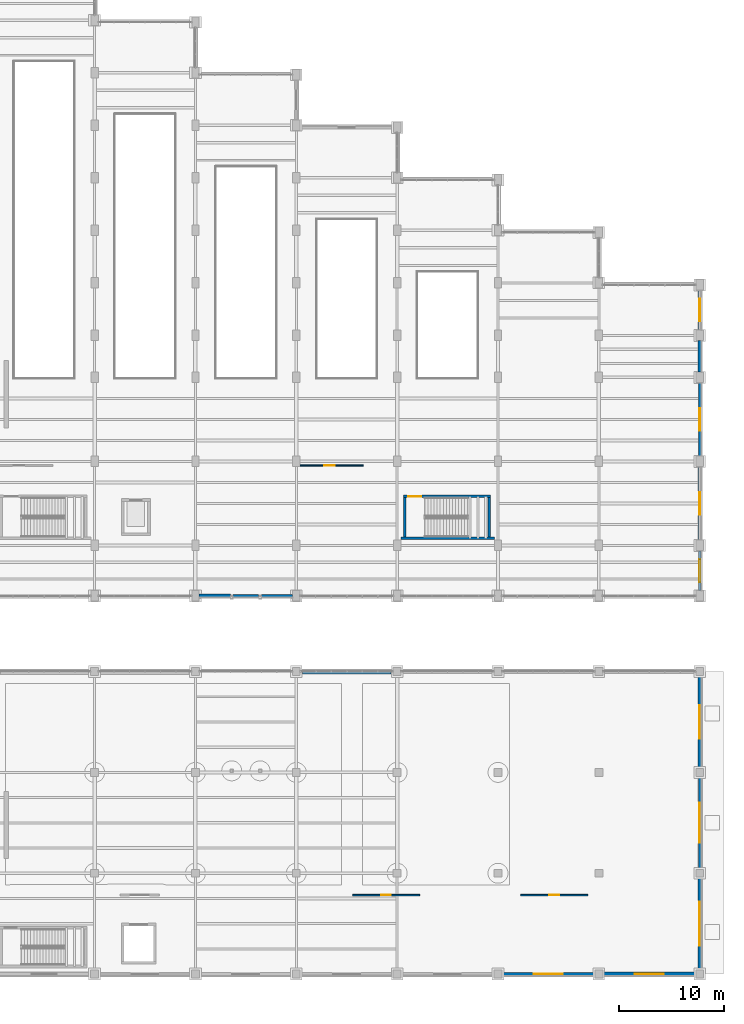
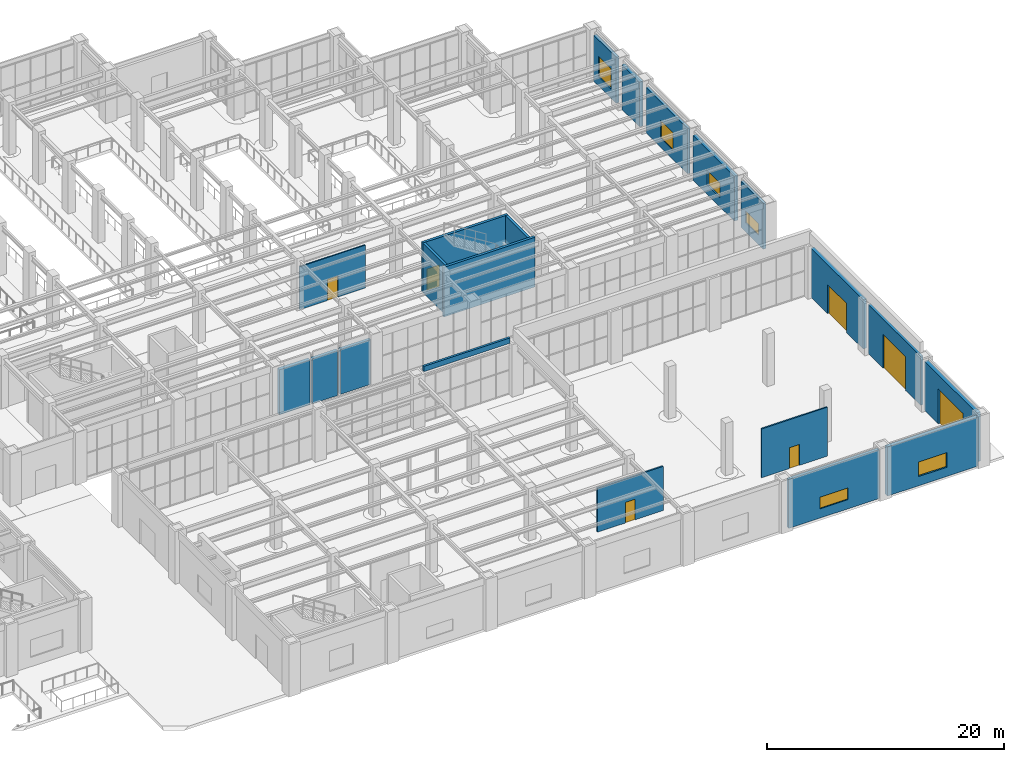
# One storey, part 136 of 164: 21 walls, 7 doors, 6 windows, 13 openings.
"""IFC4 building model written with IfcOpenShell, lengths in metres."""

from ifc_helpers import new_model, si_unit, direction, frame, frame_2d, origin, place, context, subcontext, project, spatial, rectangle, extrude, material, layer, layer_set, type_object, element, fill, save


model = new_model("IFC4")

# Units and contexts
model_context = context("Model", 3, precision=1e-05, world=origin(), true_north=direction((0.0, 1.0)))
body_context = subcontext(model_context, "Body", "Model", "MODEL_VIEW")
ifc_project = project(units=[si_unit("LENGTHUNIT", "METRE"), si_unit("AREAUNIT", "SQUARE_METRE"), si_unit("VOLUMEUNIT", "CUBIC_METRE"), si_unit("PLANEANGLEUNIT", "RADIAN"), si_unit("MASSUNIT", "GRAM", prefix="KILO")], contexts=[model_context])

# Site, building, storey
site_placement = place(None, origin())
site = spatial("IfcSite", under=ifc_project, at=site_placement, CompositionType="ELEMENT")
building_placement = place(site_placement, origin())
building = spatial("IfcBuilding", under=site, at=building_placement, Name="Mavantir Sound Aquarium", CompositionType="ELEMENT")
storey_placement = place(building_placement, origin())
storey = spatial("IfcBuildingStorey", under=building, at=storey_placement, Name="L00", CompositionType="ELEMENT", Elevation=0.0)

# Wall
ifc_material_1 = material(Name="Coral-Buff Architectural Precast Concrete C40/50", Category="concrete")
ifc_layer_1 = layer(ifc_material_1, 0.31005859375, Name="Coral-Buff Architectural Precast Concrete C40/50")
ifc_layer_set_1 = layer_set([ifc_layer_1], Name="Coral-Buff Architectural Precast Concrete C40/50")
wall_type_1 = type_object("IfcWallType", Name="EW-CORAL-310", PredefinedType="SOLIDWALL", material=ifc_layer_set_1)
wall_1_placement = place(storey_placement, frame((130.782958984375, 36.0, 0.0), z_axis=(0.0, 0.0, 1.0), x_axis=(1.0, 0.0, 0.0)))
element("IfcWall", 1, at=wall_1_placement, inside=storey, type_object=wall_type_1, Name="L00 exterior facade wall EW-02 98", PredefinedType="SOLIDWALL", context=body_context, shape_type="SweptSolid", body=[
    extrude(rectangle(XDim=2.43408203125, YDim=0.31005859375, at=frame_2d((1.217041015625, 0.0))), origin(), (0.0, 0.0, 1.0), 4.62109375),
])

# Wall, opening, window
wall_2_placement = place(storey_placement, frame((175.199951171875, 61.30810546875, 0.0), z_axis=(0.0, 0.0, 1.0), x_axis=(0.0, 1.0, 0.0)))
wall_2 = element("IfcWall", 2, at=wall_2_placement, inside=storey, type_object=wall_type_1, Name="L00 exterior facade wall EW-02 104", PredefinedType="SOLIDWALL", context=body_context, shape_type="SweptSolid", body=[
    extrude(rectangle(XDim=3.783935546875, YDim=0.31005859375, at=frame_2d((1.89208984375, 0.0))), origin(), (0.0, 0.0, 1.0), 4.736083984375),
])
opening_1_placement = place(wall_2_placement, frame((0.81689453125, 0.0, 0.949951171875)))
opening_1 = element("IfcOpeningElement", 3, at=opening_1_placement, cuts=wall_2, Name="Opening W-28", PredefinedType="OPENING", context=body_context, shape_type="SweptSolid", body=[
    extrude(rectangle(XDim=2.14990234375, YDim=2.10009765625, at=frame_2d((1.074951171875, 1.050048828125))), frame((0.0, 0.1650390625, 0.0), z_axis=(0.0, -1.0, 0.0), x_axis=(1.0, 0.0, 0.0)), (0.0, 0.0, 1.0), 0.330078125),
])
ifc_material_2 = material(Name="Thermally Broken Aluminium and Low-E Glass", Category="aluminium")
window_type_1 = type_object("IfcWindowType", Name="WIN-EXT-28", PartitioningType="DOUBLE_PANEL_VERTICAL", PredefinedType="WINDOW", material=ifc_material_2)
window_1_placement = place(opening_1_placement, origin())
window_1 = element("IfcWindow", 4, at=window_1_placement, inside=storey, type_object=window_type_1, Name="L00 facade window W-28 28", OverallHeight=2.10009765625, OverallWidth=2.14990234375, PartitioningType="SINGLE_PANEL", PredefinedType="WINDOW", context=body_context, shape_type="SweptSolid", body=[
    extrude(rectangle(XDim=2.14990234375, YDim=2.10009765625, at=frame_2d((1.074951171875, 1.050048828125))), frame((0.0, 0.030029296875, 0.0), z_axis=(0.0, -1.0, 0.0), x_axis=(1.0, 0.0, 0.0)), (0.0, 0.0, 1.0), 0.06005859375),
])
fill(opening_1, window_1)

# Walls
ifc_layer_2 = layer(ifc_material_1, 0.340087890625, Name="Coral-Buff Architectural Precast Concrete C40/50")
ifc_layer_set_2 = layer_set([ifc_layer_2], Name="Coral-Buff Architectural Precast Concrete C40/50")
wall_type_2 = type_object("IfcWallType", Name="EW-CORAL-340", PredefinedType="SOLIDWALL", material=ifc_layer_set_2)
wall_3_placement = place(storey_placement, frame((127.55810546875, 36.0, 0.0), z_axis=(0.0, 0.0, 1.0), x_axis=(1.0, 0.0, 0.0)))
element("IfcWall", 5, at=wall_3_placement, inside=storey, type_object=wall_type_2, Name="L00 exterior facade wall EW-01 97", PredefinedType="SOLIDWALL", context=body_context, shape_type="SweptSolid", body=[
    extrude(rectangle(XDim=2.958984375, YDim=0.340087890625, at=frame_2d((1.4794921875, 0.0))), origin(), (0.0, 0.0, 1.0), 4.62109375),
])
wall_4_placement = place(storey_placement, frame((175.199951171875, 57.30810546875, 0.0), z_axis=(0.0, 0.0, 1.0), x_axis=(0.0, 1.0, 0.0)))
element("IfcWall", 6, at=wall_4_placement, inside=storey, type_object=wall_type_2, Name="L00 exterior facade wall EW-01 103", PredefinedType="SOLIDWALL", context=body_context, shape_type="SweptSolid", body=[
    extrude(rectangle(XDim=2.98388671875, YDim=0.340087890625, at=frame_2d((1.491943359375, 0.0))), origin(), (0.0, 0.0, 1.0), 4.618896484375),
])

# Wall, opening, door
wall_5_placement = place(storey_placement, frame((175.199951171875, 19.5830078125, 0.0), z_axis=(0.0, 0.0, 1.0), x_axis=(0.0, 1.0, 0.0)))
wall_5 = element("IfcWall", 7, at=wall_5_placement, inside=storey, type_object=wall_type_2, Name="L00 exterior facade wall EW-01 115", PredefinedType="SOLIDWALL", context=body_context, shape_type="SweptSolid", body=[
    extrude(rectangle(XDim=8.833984375, YDim=0.340087890625, at=frame_2d((4.4169921875, 0.0))), origin(), (0.0, 0.0, 1.0), 5.06005859375),
])
opening_2_placement = place(wall_5_placement, frame((6.016845703125, 0.0, 0.0), z_axis=(0.0, 0.0, 1.0), x_axis=(-1.0, 0.0, 0.0)))
opening_2 = element("IfcOpeningElement", 8, at=opening_2_placement, cuts=wall_5, Name="Opening SG-04", PredefinedType="OPENING", context=body_context, shape_type="SweptSolid", body=[
    extrude(rectangle(XDim=3.199951171875, YDim=3.0, at=frame_2d((1.60009765625, 1.5))), frame((0.0, 0.18017578125, 0.0), z_axis=(0.0, -1.0, 0.0), x_axis=(1.0, 0.0, 0.0)), (0.0, 0.0, 1.0), 0.360107421875),
])
ifc_material_3 = material(Name="Marine-Grade Anodised Aluminium and Laminated Glass", Category="aluminium")
door_type_1 = type_object("IfcDoorType", Name="DR-GATE-320", OperationType="NOTDEFINED", PredefinedType="GATE", material=ifc_material_3)
door_1_placement = place(opening_2_placement, origin())
door_1 = element("IfcDoor", 9, at=door_1_placement, inside=storey, type_object=door_type_1, Name="Quarantine service yard gate SG-04", OperationType="ROLLINGUP", OverallHeight=3.0, OverallWidth=3.199951171875, PredefinedType="GATE", context=body_context, shape_type="SweptSolid", body=[
    extrude(rectangle(XDim=3.199951171875, YDim=3.0, at=frame_2d((1.60009765625, 1.5))), frame((0.0, 0.02490234375, 0.0), z_axis=(0.0, -1.0, 0.0), x_axis=(1.0, 0.0, 0.0)), (0.0, 0.0, 1.0), 0.050048828125),
])
fill(opening_2, door_1)

# Wall
ifc_layer_3 = layer(ifc_material_1, 0.2099609375, Name="Coral-Buff Architectural Precast Concrete C40/50")
ifc_layer_set_3 = layer_set([ifc_layer_3], Name="Coral-Buff Architectural Precast Concrete C40/50")
wall_type_3 = type_object("IfcWallType", Name="EW-PAR-210", PredefinedType="PARAPET", material=ifc_layer_set_3)
wall_6_placement = place(storey_placement, frame((137.39990234375, 28.64990234375, 5.39990234375), z_axis=(0.0, 0.0, 1.0), x_axis=(1.0, 0.0, 0.0)))
element("IfcWall", 10, at=wall_6_placement, inside=storey, type_object=wall_type_3, Name="Roof gravel-stop parapet 5A", PredefinedType="PARAPET", context=body_context, shape_type="SweptSolid", body=[
    extrude(rectangle(XDim=8.400146484375, YDim=0.2099609375, at=frame_2d((4.2001953125, 0.0))), origin(), (0.0, 0.0, 1.0), 0.550048828125),
])

# Wall, opening, window
ifc_material_4 = material(Name="Architectural Precast Concrete C40/50", Category="concrete")
ifc_layer_4 = layer(ifc_material_4, 0.239990234375, Name="Architectural Precast Concrete C40/50")
ifc_layer_set_4 = layer_set([ifc_layer_4], Name="Architectural Precast Concrete C40/50")
wall_type_4 = type_object("IfcWallType", Name="EW-PRE-240", PredefinedType="SOLIDWALL", material=ifc_layer_set_4)
wall_7_placement = place(storey_placement, frame((175.199951171875, 49.30810546875, 0.0), z_axis=(0.0, 0.0, 1.0), x_axis=(0.0, 1.0, 0.0)))
wall_7 = element("IfcWall", 11, at=wall_7_placement, inside=storey, type_object=wall_type_4, Name="L00 exterior facade wall EW-06 102", PredefinedType="SOLIDWALL", context=body_context, shape_type="SweptSolid", body=[
    extrude(rectangle(XDim=6.98388671875, YDim=0.239990234375, at=frame_2d((3.491943359375, 0.0))), origin(), (0.0, 0.0, 1.0), 4.68310546875),
])
opening_3_placement = place(wall_7_placement, frame((2.4169921875, 0.0, 0.949951171875)))
opening_3 = element("IfcOpeningElement", 12, at=opening_3_placement, cuts=wall_7, Name="Opening W-27", PredefinedType="OPENING", context=body_context, shape_type="SweptSolid", body=[
    extrude(rectangle(XDim=2.14990234375, YDim=1.800048828125, at=frame_2d((1.074951171875, 0.89990234375))), frame((0.0, 0.1298828125, 0.0), z_axis=(0.0, -1.0, 0.0), x_axis=(1.0, 0.0, 0.0)), (0.0, 0.0, 1.0), 0.260009765625),
])
window_type_2 = type_object("IfcWindowType", Name="WIN-EXT-27", PartitioningType="DOUBLE_PANEL_VERTICAL", PredefinedType="WINDOW", material=ifc_material_2)
window_2_placement = place(opening_3_placement, origin())
window_2 = element("IfcWindow", 13, at=window_2_placement, inside=storey, type_object=window_type_2, Name="L00 facade window W-27 27", OverallHeight=1.800048828125, OverallWidth=2.14990234375, PartitioningType="SINGLE_PANEL", PredefinedType="WINDOW", context=body_context, shape_type="SweptSolid", body=[
    extrude(rectangle(XDim=2.14990234375, YDim=1.800048828125, at=frame_2d((1.074951171875, 0.89990234375))), frame((0.0, 0.030029296875, 0.0), z_axis=(0.0, -1.0, 0.0), x_axis=(1.0, 0.0, 0.0)), (0.0, 0.0, 1.0), 0.06005859375),
])
fill(opening_3, window_2)

# Wall, opening, door
wall_8_placement = place(storey_placement, frame((175.199951171875, 9.98291015625, 0.0), z_axis=(0.0, 0.0, 1.0), x_axis=(0.0, 1.0, 0.0)))
wall_8 = element("IfcWall", 14, at=wall_8_placement, inside=storey, type_object=wall_type_4, Name="L00 exterior facade wall EW-06 114", PredefinedType="SOLIDWALL", context=body_context, shape_type="SweptSolid", body=[
    extrude(rectangle(XDim=8.833984375, YDim=0.239990234375, at=frame_2d((4.4169921875, 0.0))), origin(), (0.0, 0.0, 1.0), 5.0537109375),
])
opening_4_placement = place(wall_8_placement, frame((6.317138671875, 0.0, 0.0), z_axis=(0.0, 0.0, 1.0), x_axis=(-1.0, 0.0, 0.0)))
opening_4 = element("IfcOpeningElement", 15, at=opening_4_placement, cuts=wall_8, Name="Opening SG-02", PredefinedType="OPENING", context=body_context, shape_type="SweptSolid", body=[
    extrude(rectangle(XDim=3.800048828125, YDim=3.5, at=frame_2d((1.89990234375, 1.75))), frame((0.0, 0.1298828125, 0.0), z_axis=(0.0, -1.0, 0.0), x_axis=(1.0, 0.0, 0.0)), (0.0, 0.0, 1.0), 0.260009765625),
])
door_type_2 = type_object("IfcDoorType", Name="DR-GATE-380", OperationType="NOTDEFINED", PredefinedType="GATE", material=ifc_material_3)
door_2_placement = place(opening_4_placement, origin())
door_2 = element("IfcDoor", 16, at=door_2_placement, inside=storey, type_object=door_type_2, Name="Loading dock shutter gate SG-02", OperationType="ROLLINGUP", OverallHeight=3.5, OverallWidth=3.800048828125, PredefinedType="GATE", context=body_context, shape_type="SweptSolid", body=[
    extrude(rectangle(XDim=3.800048828125, YDim=3.5, at=frame_2d((1.89990234375, 1.75))), frame((0.0, 0.02490234375, 0.0), z_axis=(0.0, -1.0, 0.0), x_axis=(1.0, 0.0, 0.0)), (0.0, 0.0, 1.0), 0.050048828125),
])
fill(opening_4, door_2)

# Wall, opening, window
ifc_layer_5 = layer(ifc_material_1, 0.360107421875, Name="Coral-Buff Architectural Precast Concrete C40/50")
ifc_layer_set_5 = layer_set([ifc_layer_5], Name="Coral-Buff Architectural Precast Concrete C40/50")
wall_type_5 = type_object("IfcWallType", Name="EW-PRE-360", PredefinedType="SOLIDWALL", material=ifc_layer_set_5)
wall_9_placement = place(storey_placement, frame((175.199951171875, 41.30810546875, 0.0), z_axis=(0.0, 0.0, 1.0), x_axis=(0.0, 1.0, 0.0)))
wall_9 = element("IfcWall", 17, at=wall_9_placement, inside=storey, type_object=wall_type_5, Name="L00 exterior facade wall EW-05 101", PredefinedType="SOLIDWALL", context=body_context, shape_type="SweptSolid", body=[
    extrude(rectangle(XDim=6.98388671875, YDim=0.360107421875, at=frame_2d((3.491943359375, 0.0))), origin(), (0.0, 0.0, 1.0), 4.618896484375),
])
opening_5_placement = place(wall_9_placement, frame((2.4169921875, 0.0, 0.949951171875)))
opening_5 = element("IfcOpeningElement", 18, at=opening_5_placement, cuts=wall_9, Name="Opening W-26", PredefinedType="OPENING", context=body_context, shape_type="SweptSolid", body=[
    extrude(rectangle(XDim=2.14990234375, YDim=1.5, at=frame_2d((1.074951171875, 0.75))), frame((0.0, 0.18994140625, 0.0), z_axis=(0.0, -1.0, 0.0), x_axis=(1.0, 0.0, 0.0)), (0.0, 0.0, 1.0), 0.380126953125),
])
window_type_3 = type_object("IfcWindowType", Name="WIN-EXT-26", PartitioningType="DOUBLE_PANEL_VERTICAL", PredefinedType="WINDOW", material=ifc_material_2)
window_3_placement = place(opening_5_placement, origin())
window_3 = element("IfcWindow", 19, at=window_3_placement, inside=storey, type_object=window_type_3, Name="L00 facade window W-26 26", OverallHeight=1.5, OverallWidth=2.14990234375, PartitioningType="SINGLE_PANEL", PredefinedType="WINDOW", context=body_context, shape_type="SweptSolid", body=[
    extrude(rectangle(XDim=2.14990234375, YDim=1.5, at=frame_2d((1.074951171875, 0.75))), frame((0.0, 0.030029296875, 0.0), z_axis=(0.0, -1.0, 0.0), x_axis=(1.0, 0.0, 0.0)), (0.0, 0.0, 1.0), 0.06005859375),
])
fill(opening_5, window_3)

# Wall, opening, door
wall_10_placement = place(storey_placement, frame((175.199951171875, 0.383056640625, 0.0), z_axis=(0.0, 0.0, 1.0), x_axis=(0.0, 1.0, 0.0)))
wall_10 = element("IfcWall", 20, at=wall_10_placement, inside=storey, type_object=wall_type_5, Name="L00 exterior facade wall EW-05 113", PredefinedType="SOLIDWALL", context=body_context, shape_type="SweptSolid", body=[
    extrude(rectangle(XDim=8.833984375, YDim=0.360107421875, at=frame_2d((4.4169921875, 0.0))), origin(), (0.0, 0.0, 1.0), 5.046875),
])
opening_6_placement = place(wall_10_placement, frame((6.516845703125, 0.0, 0.0), z_axis=(0.0, 0.0, 1.0), x_axis=(-1.0, 0.0, 0.0)))
opening_6 = element("IfcOpeningElement", 21, at=opening_6_placement, cuts=wall_10, Name="Opening SG-01", PredefinedType="OPENING", context=body_context, shape_type="SweptSolid", body=[
    extrude(rectangle(XDim=4.199951171875, YDim=3.60009765625, at=frame_2d((2.10009765625, 1.800048828125))), frame((0.0, 0.18994140625, 0.0), z_axis=(0.0, -1.0, 0.0), x_axis=(1.0, 0.0, 0.0)), (0.0, 0.0, 1.0), 0.380126953125),
])
door_type_3 = type_object("IfcDoorType", Name="DR-GATE-420", OperationType="NOTDEFINED", PredefinedType="GATE", material=ifc_material_3)
door_3_placement = place(opening_6_placement, origin())
door_3 = element("IfcDoor", 22, at=door_3_placement, inside=storey, type_object=door_type_3, Name="Loading dock shutter gate SG-01", OperationType="ROLLINGUP", OverallHeight=3.60009765625, OverallWidth=4.199951171875, PredefinedType="GATE", context=body_context, shape_type="SweptSolid", body=[
    extrude(rectangle(XDim=4.199951171875, YDim=3.60009765625, at=frame_2d((2.10009765625, 1.800048828125))), frame((0.0, 0.02490234375, 0.0), z_axis=(0.0, -1.0, 0.0), x_axis=(1.0, 0.0, 0.0)), (0.0, 0.0, 1.0), 0.050048828125),
])
fill(opening_6, door_3)

# Wall, opening, window
wall_11_placement = place(storey_placement, frame((165.98291015625, 0.0, 0.0), z_axis=(0.0, 0.0, 1.0), x_axis=(1.0, 0.0, 0.0)))
wall_11 = element("IfcWall", 23, at=wall_11_placement, inside=storey, type_object=wall_type_5, Name="L00 exterior facade wall EW-05 125", PredefinedType="SOLIDWALL", context=body_context, shape_type="SweptSolid", body=[
    extrude(rectangle(XDim=8.833984375, YDim=0.360107421875, at=frame_2d((4.4169921875, 0.0))), origin(), (0.0, 0.0, 1.0), 5.046875),
])
opening_7_placement = place(wall_11_placement, frame((3.0419921875, 0.0, 0.949951171875)))
opening_7 = element("IfcOpeningElement", 24, at=opening_7_placement, cuts=wall_11, Name="Opening W-38", PredefinedType="OPENING", context=body_context, shape_type="SweptSolid", body=[
    extrude(rectangle(XDim=2.75, YDim=1.5, at=frame_2d((1.375, 0.75))), frame((0.0, 0.18994140625, 0.0), z_axis=(0.0, -1.0, 0.0), x_axis=(1.0, 0.0, 0.0)), (0.0, 0.0, 1.0), 0.380126953125),
])
window_type_4 = type_object("IfcWindowType", Name="WIN-EXT-38", PartitioningType="TRIPLE_PANEL_VERTICAL", PredefinedType="WINDOW", material=ifc_material_2)
window_4_placement = place(opening_7_placement, origin())
window_4 = element("IfcWindow", 25, at=window_4_placement, inside=storey, type_object=window_type_4, Name="L00 facade window W-38 38", OverallHeight=1.5, OverallWidth=2.75, PartitioningType="SINGLE_PANEL", PredefinedType="WINDOW", context=body_context, shape_type="SweptSolid", body=[
    extrude(rectangle(XDim=2.75, YDim=1.5, at=frame_2d((1.375, 0.75))), frame((0.0, 0.030029296875, 0.0), z_axis=(0.0, -1.0, 0.0), x_axis=(1.0, 0.0, 0.0)), (0.0, 0.0, 1.0), 0.06005859375),
])
fill(opening_7, window_4)

ifc_material_5 = material(Name="Cerulean Glazed Terracotta Rainscreen on Concrete C40/50", Category="masonry")
ifc_layer_6 = layer(ifc_material_5, 0.27001953125, Name="Cerulean Glazed Terracotta Rainscreen on Concrete C40/50")
ifc_layer_set_6 = layer_set([ifc_layer_6], Name="Cerulean Glazed Terracotta Rainscreen on Concrete C40/50")
wall_type_6 = type_object("IfcWallType", Name="EW-TERRA-270", PredefinedType="SOLIDWALL", material=ifc_layer_set_6)
wall_12_placement = place(storey_placement, frame((175.199951171875, 36.508056640625, 0.0), z_axis=(0.0, 0.0, 1.0), x_axis=(0.0, 1.0, 0.0)))
wall_12 = element("IfcWall", 26, at=wall_12_placement, inside=storey, type_object=wall_type_6, Name="L00 exterior facade wall EW-04 100", PredefinedType="SOLIDWALL", context=body_context, shape_type="SweptSolid", body=[
    extrude(rectangle(XDim=3.783935546875, YDim=0.27001953125, at=frame_2d((1.89208984375, 0.0))), origin(), (0.0, 0.0, 1.0), 4.72607421875),
])
opening_8_placement = place(wall_12_placement, frame((0.81689453125, 0.0, 0.949951171875)))
opening_8 = element("IfcOpeningElement", 27, at=opening_8_placement, cuts=wall_12, Name="Opening W-25", PredefinedType="OPENING", context=body_context, shape_type="SweptSolid", body=[
    extrude(rectangle(XDim=2.14990234375, YDim=1.199951171875, at=frame_2d((1.074951171875, 0.60009765625))), frame((0.0, 0.14501953125, 0.0), z_axis=(0.0, -1.0, 0.0), x_axis=(1.0, 0.0, 0.0)), (0.0, 0.0, 1.0), 0.2900390625),
])
window_type_5 = type_object("IfcWindowType", Name="WIN-EXT-25", PartitioningType="DOUBLE_PANEL_VERTICAL", PredefinedType="WINDOW", material=ifc_material_2)
window_5_placement = place(opening_8_placement, origin())
window_5 = element("IfcWindow", 28, at=window_5_placement, inside=storey, type_object=window_type_5, Name="L00 facade window W-25 25", OverallHeight=1.199951171875, OverallWidth=2.14990234375, PartitioningType="SINGLE_PANEL", PredefinedType="WINDOW", context=body_context, shape_type="SweptSolid", body=[
    extrude(rectangle(XDim=2.14990234375, YDim=1.199951171875, at=frame_2d((1.074951171875, 0.60009765625))), frame((0.0, 0.030029296875, 0.0), z_axis=(0.0, -1.0, 0.0), x_axis=(1.0, 0.0, 0.0)), (0.0, 0.0, 1.0), 0.06005859375),
])
fill(opening_8, window_5)

wall_13_placement = place(storey_placement, frame((156.383056640625, 0.0, 0.0), z_axis=(0.0, 0.0, 1.0), x_axis=(1.0, 0.0, 0.0)))
wall_13 = element("IfcWall", 29, at=wall_13_placement, inside=storey, type_object=wall_type_6, Name="L00 exterior facade wall EW-04 124", PredefinedType="SOLIDWALL", context=body_context, shape_type="SweptSolid", body=[
    extrude(rectangle(XDim=8.833984375, YDim=0.27001953125, at=frame_2d((4.4169921875, 0.0))), origin(), (0.0, 0.0, 1.0), 5.046875),
])
opening_9_placement = place(wall_13_placement, frame((3.0419921875, 0.0, 0.949951171875)))
opening_9 = element("IfcOpeningElement", 30, at=opening_9_placement, cuts=wall_13, Name="Opening W-37", PredefinedType="OPENING", context=body_context, shape_type="SweptSolid", body=[
    extrude(rectangle(XDim=2.75, YDim=1.199951171875, at=frame_2d((1.375, 0.60009765625))), frame((0.0, 0.14501953125, 0.0), z_axis=(0.0, -1.0, 0.0), x_axis=(1.0, 0.0, 0.0)), (0.0, 0.0, 1.0), 0.2900390625),
])
window_type_6 = type_object("IfcWindowType", Name="WIN-EXT-37", PartitioningType="TRIPLE_PANEL_VERTICAL", PredefinedType="WINDOW", material=ifc_material_2)
window_6_placement = place(opening_9_placement, origin())
window_6 = element("IfcWindow", 31, at=window_6_placement, inside=storey, type_object=window_type_6, Name="L00 facade window W-37 37", OverallHeight=1.199951171875, OverallWidth=2.75, PartitioningType="SINGLE_PANEL", PredefinedType="WINDOW", context=body_context, shape_type="SweptSolid", body=[
    extrude(rectangle(XDim=2.75, YDim=1.199951171875, at=frame_2d((1.375, 0.60009765625))), frame((0.0, 0.030029296875, 0.0), z_axis=(0.0, -1.0, 0.0), x_axis=(1.0, 0.0, 0.0)), (0.0, 0.0, 1.0), 0.06005859375),
])
fill(opening_9, window_6)

# Wall
ifc_material_6 = material(Name="Turquoise Glazed Terracotta Rainscreen on Concrete C40/50", Category="masonry")
ifc_layer_7 = layer(ifc_material_6, 0.2900390625, Name="Turquoise Glazed Terracotta Rainscreen on Concrete C40/50")
ifc_layer_set_7 = layer_set([ifc_layer_7], Name="Turquoise Glazed Terracotta Rainscreen on Concrete C40/50")
wall_type_7 = type_object("IfcWallType", Name="EW-TERRA-290", PredefinedType="SOLIDWALL", material=ifc_layer_set_7)
wall_14_placement = place(storey_placement, frame((133.48291015625, 36.0, 0.0), z_axis=(0.0, 0.0, 1.0), x_axis=(1.0, 0.0, 0.0)))
element("IfcWall", 32, at=wall_14_placement, inside=storey, type_object=wall_type_7, Name="L00 exterior facade wall EW-03 99", PredefinedType="SOLIDWALL", context=body_context, shape_type="SweptSolid", body=[
    extrude(rectangle(XDim=2.958984375, YDim=0.2900390625, at=frame_2d((1.4794921875, 0.0))), origin(), (0.0, 0.0, 1.0), 4.62109375),
])

# Wall, opening, door
ifc_material_7 = material(Name="Lightweight Partition Framing", Category="gypsum")
ifc_layer_8 = layer(ifc_material_7, 0.1201171875, Name="Lightweight Partition Framing")
ifc_layer_set_8 = layer_set([ifc_layer_8], Name="Lightweight Partition Framing")
wall_type_8 = type_object("IfcWallType", Name="IW-PART-120", PredefinedType="PARTITIONING", material=ifc_layer_set_8)
wall_15_placement = place(storey_placement, frame((136.75, 48.425048828125, 0.0), z_axis=(0.0, 0.0, 1.0), x_axis=(1.0, 0.0, 0.0)))
wall_15 = element("IfcWall", 33, at=wall_15_placement, inside=storey, type_object=wall_type_8, Name="L00 Buccoo Coral Lagoon Plinth Exhibit Gallery entry partition", PredefinedType="PARTITIONING", context=body_context, shape_type="SweptSolid", body=[
    extrude(rectangle(XDim=6.39990234375, YDim=0.1201171875, at=frame_2d((3.199951171875, 0.0))), origin(), (0.0, 0.0, 1.0), 4.424072265625),
])
opening_10_placement = place(wall_15_placement, frame((2.68994140625, 0.0, 0.0)))
opening_10 = element("IfcOpeningElement", 34, at=opening_10_placement, cuts=wall_15, Name="Opening ID-04", PredefinedType="OPENING", context=body_context, shape_type="SweptSolid", body=[
    extrude(rectangle(XDim=1.02001953125, YDim=2.179931640625, at=frame_2d((0.510009765625, 1.08984375))), frame((0.0, 0.070068359375, 0.0), z_axis=(0.0, -1.0, 0.0), x_axis=(1.0, 0.0, 0.0)), (0.0, 0.0, 1.0), 0.14013671875),
])
ifc_material_8 = material(Name="Solid-Core Marine Hardwood and Vision-Panel Door", Category="wood")
door_type_4 = type_object("IfcDoorType", Name="DR-INT-04", OperationType="NOTDEFINED", PredefinedType="DOOR", material=ifc_material_8)
door_4_placement = place(opening_10_placement, origin())
door_4 = element("IfcDoor", 35, at=door_4_placement, inside=storey, type_object=door_type_4, Name="Buccoo Coral Lagoon Plinth Exhibit Gallery door", OperationType="SINGLE_SWING_RIGHT", OverallHeight=2.179931640625, OverallWidth=1.02001953125, PredefinedType="DOOR", context=body_context, shape_type="SweptSolid", body=[
    extrude(rectangle(XDim=1.02001953125, YDim=2.179931640625, at=frame_2d((0.510009765625, 1.08984375))), frame((0.0, 0.02490234375, 0.0), z_axis=(0.0, -1.0, 0.0), x_axis=(1.0, 0.0, 0.0)), (0.0, 0.0, 1.0), 0.050048828125),
])
fill(opening_10, door_4)

ifc_material_9 = material(Name="Moisture-Resistant Marine Gypsum Partition", Category="gypsum")
ifc_layer_9 = layer(ifc_material_9, 0.139892578125, Name="Moisture-Resistant Marine Gypsum Partition")
ifc_layer_set_9 = layer_set([ifc_layer_9], Name="Moisture-Resistant Marine Gypsum Partition")
wall_type_9 = type_object("IfcWallType", Name="IW-PART-140", PredefinedType="PARTITIONING", material=ifc_layer_set_9)
wall_16_placement = place(storey_placement, frame((158.14990234375, 7.52490234375, 0.0), z_axis=(0.0, 0.0, 1.0), x_axis=(1.0, 0.0, 0.0)))
wall_16 = element("IfcWall", 36, at=wall_16_placement, inside=storey, type_object=wall_type_9, Name="L00 Enclosed Three-Bay Loading Dock and Quarantine Dispatch entry partition", PredefinedType="PARTITIONING", context=body_context, shape_type="SweptSolid", body=[
    extrude(rectangle(XDim=6.400146484375, YDim=0.139892578125, at=frame_2d((3.2001953125, 0.0))), origin(), (0.0, 0.0, 1.0), 5.0400390625),
])
opening_11_placement = place(wall_16_placement, frame((2.72509765625, 0.0, 0.0)))
opening_11 = element("IfcOpeningElement", 37, at=opening_11_placement, cuts=wall_16, Name="Opening ID-02", PredefinedType="OPENING", context=body_context, shape_type="SweptSolid", body=[
    extrude(rectangle(XDim=0.949951171875, YDim=2.14990234375, at=frame_2d((0.47509765625, 1.074951171875))), frame((0.0, 0.080078125, 0.0), z_axis=(0.0, -1.0, 0.0), x_axis=(1.0, 0.0, 0.0)), (0.0, 0.0, 1.0), 0.159912109375),
])
door_type_5 = type_object("IfcDoorType", Name="DR-INT-02", OperationType="NOTDEFINED", PredefinedType="DOOR", material=ifc_material_8)
door_5_placement = place(opening_11_placement, origin())
door_5 = element("IfcDoor", 38, at=door_5_placement, inside=storey, type_object=door_type_5, Name="Enclosed Three-Bay Loading Dock and Quarantine Dispatch door", OperationType="SINGLE_SWING_RIGHT", OverallHeight=2.14990234375, OverallWidth=0.949951171875, PredefinedType="DOOR", context=body_context, shape_type="SweptSolid", body=[
    extrude(rectangle(XDim=0.949951171875, YDim=2.14990234375, at=frame_2d((0.47509765625, 1.074951171875))), frame((0.0, 0.02490234375, 0.0), z_axis=(0.0, -1.0, 0.0), x_axis=(1.0, 0.0, 0.0)), (0.0, 0.0, 1.0), 0.050048828125),
])
fill(opening_11, door_5)

ifc_layer_10 = layer(ifc_material_9, 0.14990234375, Name="Moisture-Resistant Marine Gypsum Partition")
ifc_layer_set_10 = layer_set([ifc_layer_10], Name="Moisture-Resistant Marine Gypsum Partition")
wall_type_10 = type_object("IfcWallType", Name="IW-PART-150", PredefinedType="PARTITIONING", material=ifc_layer_set_10)
wall_17_placement = place(storey_placement, frame((142.14990234375, 7.52490234375, 0.0), z_axis=(0.0, 0.0, 1.0), x_axis=(1.0, 0.0, 0.0)))
wall_17 = element("IfcWall", 39, at=wall_17_placement, inside=storey, type_object=wall_type_10, Name="L00 Quarantine Isolation Pools and Necropsy Lab entry partition", PredefinedType="PARTITIONING", context=body_context, shape_type="SweptSolid", body=[
    extrude(rectangle(XDim=6.400146484375, YDim=0.14990234375, at=frame_2d((3.2001953125, 0.0))), origin(), (0.0, 0.0, 1.0), 4.547119140625),
])
opening_12_placement = place(wall_17_placement, frame((2.739990234375, 0.0, 0.0)))
opening_12 = element("IfcOpeningElement", 40, at=opening_12_placement, cuts=wall_17, Name="Opening ID-01", PredefinedType="OPENING", context=body_context, shape_type="SweptSolid", body=[
    extrude(rectangle(XDim=0.919921875, YDim=2.1201171875, at=frame_2d((0.4599609375, 1.06005859375))), frame((0.0, 0.0849609375, 0.0), z_axis=(0.0, -1.0, 0.0), x_axis=(1.0, 0.0, 0.0)), (0.0, 0.0, 1.0), 0.169921875),
])
door_type_6 = type_object("IfcDoorType", Name="DR-INT-01", OperationType="NOTDEFINED", PredefinedType="DOOR", material=ifc_material_8)
door_6_placement = place(opening_12_placement, origin())
door_6 = element("IfcDoor", 41, at=door_6_placement, inside=storey, type_object=door_type_6, Name="Quarantine Isolation Pools and Necropsy Lab door", OperationType="SINGLE_SWING_LEFT", OverallHeight=2.1201171875, OverallWidth=0.919921875, PredefinedType="DOOR", context=body_context, shape_type="SweptSolid", body=[
    extrude(rectangle(XDim=0.919921875, YDim=2.1201171875, at=frame_2d((0.4599609375, 1.06005859375))), frame((0.0, 0.02490234375, 0.0), z_axis=(0.0, -1.0, 0.0), x_axis=(1.0, 0.0, 0.0)), (0.0, 0.0, 1.0), 0.050048828125),
])
fill(opening_12, door_6)

# Wall
ifc_material_10 = material(Name="Concrete C40/50", Category="concrete")
ifc_layer_11 = layer(ifc_material_10, 0.25, Name="Concrete C40/50")
ifc_layer_set_11 = layer_set([ifc_layer_11], Name="Concrete C40/50")
wall_type_11 = type_object("IfcWallType", Name="IW-SHAFT-250", PredefinedType="SHEAR", material=ifc_layer_set_11)
wall_18_placement = place(storey_placement, frame((146.75, 41.47509765625, 0.0), z_axis=(0.0, 0.0, 1.0), x_axis=(1.0, 0.0, 0.0)))
element("IfcWall", 42, at=wall_18_placement, inside=storey, type_object=wall_type_11, Name="L00 stair ST12 shaft wall S", PredefinedType="SHEAR", context=body_context, shape_type="SweptSolid", body=[
    extrude(rectangle(XDim=8.89990234375, YDim=0.25, at=frame_2d((4.449951171875, 0.0))), origin(), (0.0, 0.0, 1.0), 5.110107421875),
])

# Wall, opening, door
wall_19_placement = place(storey_placement, frame((155.300048828125, 45.47509765625, 0.0), z_axis=(0.0, 0.0, 1.0), x_axis=(-1.0, 0.0, 0.0)))
wall_19 = element("IfcWall", 43, at=wall_19_placement, inside=storey, type_object=wall_type_11, Name="L00 stair ST12 shaft wall N", PredefinedType="SHEAR", context=body_context, shape_type="SweptSolid", body=[
    extrude(rectangle(XDim=8.300048828125, YDim=0.25, at=frame_2d((4.14990234375, 0.0))), origin(), (0.0, 0.0, 1.0), 5.110107421875),
])
opening_13_placement = place(wall_19_placement, frame((7.85009765625, 0.0, 0.0), z_axis=(0.0, 0.0, 1.0), x_axis=(-1.0, 0.0, 0.0)))
opening_13 = element("IfcOpeningElement", 44, at=opening_13_placement, cuts=wall_19, Name="Opening SD-01", PredefinedType="OPENING", context=body_context, shape_type="SweptSolid", body=[
    extrude(rectangle(XDim=1.25, YDim=2.199951171875, at=frame_2d((0.625, 1.10009765625))), frame((0.0, 0.135009765625, 0.0), z_axis=(0.0, -1.0, 0.0), x_axis=(1.0, 0.0, 0.0)), (0.0, 0.0, 1.0), 0.27001953125),
])
ifc_material_11 = material(Name="Fire-Rated Steel Acoustic Door Leaf", Category="steel")
door_type_7 = type_object("IfcDoorType", Name="DR-ST-125", OperationType="NOTDEFINED", PredefinedType="DOOR", material=ifc_material_11)
door_7_placement = place(opening_13_placement, origin())
door_7 = element("IfcDoor", 45, at=door_7_placement, inside=storey, type_object=door_type_7, Name="L00 protected exit stair ST12 door", OperationType="SINGLE_SWING_LEFT", OverallHeight=2.199951171875, OverallWidth=1.25, PredefinedType="DOOR", context=body_context, shape_type="SweptSolid", body=[
    extrude(rectangle(XDim=1.25, YDim=2.199951171875, at=frame_2d((0.625, 1.10009765625))), frame((0.0, 0.02490234375, 0.0), z_axis=(0.0, -1.0, 0.0), x_axis=(1.0, 0.0, 0.0)), (0.0, 0.0, 1.0), 0.050048828125),
])
fill(opening_13, door_7)

# Walls
for number, where, z_axis, x_axis, name in (
    (46, (147.125, 45.35009765625, 0.0), (0.0, 0.0, 1.0), (0.0, -1.0, 0.0), "L00 stair ST12 shaft wall W"),
    (47, (155.175048828125, 41.60009765625, 0.0), (0.0, 0.0, 1.0), (0.0, 1.0, 0.0), "L00 stair ST12 shaft wall E"),
):
    element("IfcWall", number, at=place(storey_placement, frame(where, z_axis=z_axis, x_axis=x_axis)), inside=storey, type_object=wall_type_11, Name=name, PredefinedType="SHEAR", context=body_context, shape_type="SweptSolid", body=[
        extrude(rectangle(XDim=3.75, YDim=0.25, at=frame_2d((1.875, 0.0))), origin(), (0.0, 0.0, 1.0), 5.110107421875),
    ])

save(model, "model.ifc")
